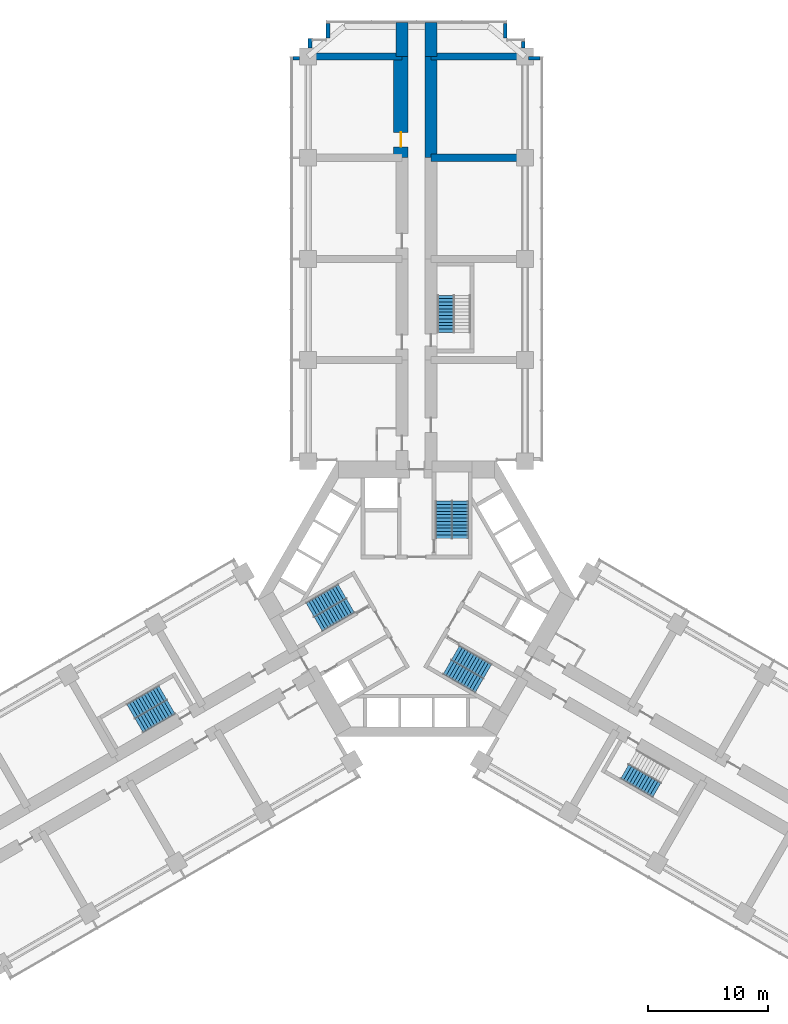
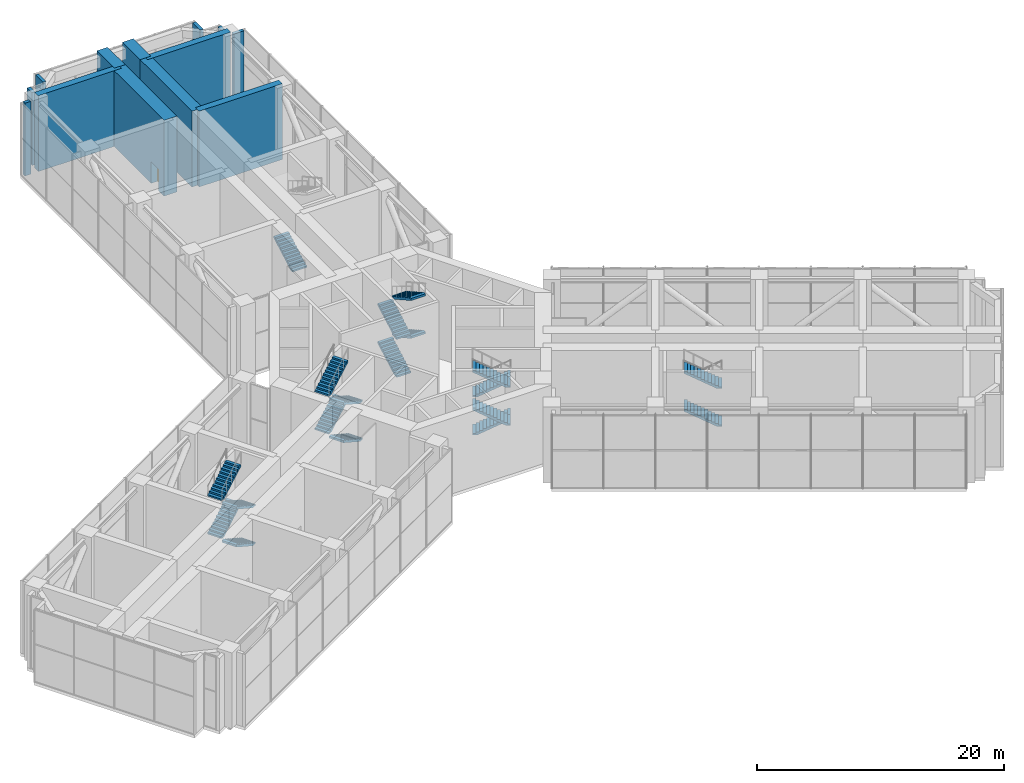
# One storey, part 17 of 19: 19 stair flights, 13 walls, 1 door, 1 opening, 6 elements without a shape of their own.
"""IFC4 building model written with IfcOpenShell, lengths in metres."""

import ifcopenshell
import ifcopenshell.guid

model = None  # the IFC model being written
_history = None  # IfcOwnerHistory: only IFC2X3 demands one
_inside = {}  # id of a spatial element -> (the spatial element, [elements in it])
_under = {}  # id of a project, library or spatial element -> (it, [spatial elements below it])
_declared = {}  # id of a project -> (the project, [libraries it declares])
_typed = {}  # id of a type object -> (the type object, [elements of that type])
_made_of = {}  # id of a material, layer set ... -> (it, [elements and type objects made of it])


def new_model(schema):
    """Start an empty IFC model of exactly this schema.

    Asked for "IFC4X3", IfcOpenShell would pick the latest addendum, in which some entities
    have other attributes; the version numbers below select the first issue.
    IFC2X3 requires an IfcOwnerHistory on every rooted entity: one is made here for all.
    """
    global model, _history
    if schema == "IFC4X3":
        model = ifcopenshell.file(schema_version=(4, 3, 0, 0))
    else:
        model = ifcopenshell.file(schema=schema)
    _inside.clear()
    _under.clear()
    _declared.clear()
    _typed.clear()
    _made_of.clear()
    _history = None
    if model.schema == "IFC2X3":
        org = make("IfcOrganization", Name="unknown")
        user = make(
            "IfcPersonAndOrganization",
            ThePerson=make("IfcPerson", FamilyName="unknown"),
            TheOrganization=org,
        )
        app = make(
            "IfcApplication",
            ApplicationDeveloper=org,
            Version="unknown",
            ApplicationFullName="unknown",
            ApplicationIdentifier="unknown",
        )
        _history = make(
            "IfcOwnerHistory",
            OwningUser=user,
            OwningApplication=app,
            ChangeAction="ADDED",
            CreationDate=0,
        )
    return model


def make(cls, **values):
    """One entity of the class cls with the attributes given. An attribute that is None is left unset."""
    return model.create_entity(
        cls, **{name: value for name, value in values.items() if value is not None}
    )


def rooted(cls, **values):
    """An entity with a GlobalId (a new one), such as an element, a storey or a relation."""
    return make(cls, GlobalId=ifcopenshell.guid.new(), OwnerHistory=_history, **values)


def si_unit(unit_type, name, prefix=None):
    """IfcSIUnit, for example si_unit("LENGTHUNIT", "METRE", prefix="MILLI")."""
    return make("IfcSIUnit", UnitType=unit_type, Prefix=prefix, Name=name)


def assignment(units):
    """IfcUnitAssignment: the units of a project."""
    return None if units is None else make("IfcUnitAssignment", Units=units)


def point(xyz):
    """IfcCartesianPoint."""
    return None if xyz is None else make("IfcCartesianPoint", Coordinates=xyz)


def direction(xyz):
    """IfcDirection."""
    return None if xyz is None else make("IfcDirection", DirectionRatios=xyz)


def frame(location, z_axis=None, x_axis=None):
    """IfcAxis2Placement3D, a coordinate frame: its origin and axes. An axis left out is left unset."""
    return make(
        "IfcAxis2Placement3D",
        Location=point(location),
        Axis=direction(z_axis),
        RefDirection=direction(x_axis),
    )


def frame_2d(location, x_axis=None):
    """IfcAxis2Placement2D, a coordinate frame in the plane: its origin and x axis."""
    return make(
        "IfcAxis2Placement2D", Location=point(location), RefDirection=direction(x_axis)
    )


def origin():
    """The frame at (0, 0, 0) with its axes left unset."""
    return frame((0.0, 0.0, 0.0))


def place(relative_to, where):
    """IfcLocalPlacement: puts the frame where relative to a parent placement (None: the world)."""
    return make(
        "IfcLocalPlacement", PlacementRelTo=relative_to, RelativePlacement=where
    )


def context(
    kind, dimensions, precision=None, world=None, true_north=None, identifier=None
):
    """IfcGeometricRepresentationContext, for example the 3D "Model" context."""
    return make(
        "IfcGeometricRepresentationContext",
        ContextIdentifier=identifier,
        ContextType=kind,
        CoordinateSpaceDimension=dimensions,
        Precision=precision,
        WorldCoordinateSystem=world,
        TrueNorth=true_north,
    )


def subcontext(parent, identifier, kind, view, scale=None):
    """IfcGeometricRepresentationSubContext, for example "Body" below "Model"."""
    return make(
        "IfcGeometricRepresentationSubContext",
        ContextIdentifier=identifier,
        ContextType=kind,
        ParentContext=parent,
        TargetScale=scale,
        TargetView=view,
    )


def project(units=None, contexts=None):
    """IfcProject with its units and contexts."""
    return rooted(
        "IfcProject",
        Name="project",
        RepresentationContexts=contexts,
        UnitsInContext=assignment(units),
    )


def spatial(cls, under=None, at=None, **own):
    """A site, building, storey or space (cls), placed at a placement, below another one or the project."""
    s = rooted(cls, ObjectPlacement=at, **own)
    if under is not None:
        _under.setdefault(under.id(), (under, []))[1].append(s)
    return s


def polyline(points):
    """IfcPolyline through the points."""
    return make("IfcPolyline", Points=[point(p) for p in points])


def profile(cls, at=None, kind="AREA", **sizes):
    """A parametric profile (cls). Its sizes go by their IFC names, for example OverallWidth=200.0."""
    return make(cls, ProfileType=kind, Position=at, **sizes)


def rectangle(**sizes):
    """IfcRectangleProfileDef."""
    return profile("IfcRectangleProfileDef", **sizes)


def outline(outer, holes=None, kind="AREA"):
    """IfcArbitraryClosedProfileDef: a profile drawn as a closed curve; with holes, ...WithVoids."""
    if holes is None:
        return make("IfcArbitraryClosedProfileDef", ProfileType=kind, OuterCurve=outer)
    return make(
        "IfcArbitraryProfileDefWithVoids",
        ProfileType=kind,
        OuterCurve=outer,
        InnerCurves=holes,
    )


def extrude(swept, where, along, depth):
    """IfcExtrudedAreaSolid: the profile swept, set in the frame where, extruded along a direction by depth."""
    return make(
        "IfcExtrudedAreaSolid",
        SweptArea=swept,
        Position=where,
        ExtrudedDirection=direction(along),
        Depth=depth,
    )


def shape(context_of_items, identifier, shape_type, items):
    """IfcShapeRepresentation: the items that make up one representation, for example the "Body"."""
    return make(
        "IfcShapeRepresentation",
        ContextOfItems=context_of_items,
        RepresentationIdentifier=identifier,
        RepresentationType=shape_type,
        Items=items,
    )


def material(Name=None, Category=None):
    """IfcMaterial."""
    return make("IfcMaterial", Name=Name, Category=Category)


def layer(
    of_material, thickness, ventilated=None, Name=None, Category=None, Priority=None
):
    """IfcMaterialLayer: one layer of a wall or slab, of a material (None: an air gap)."""
    return make(
        "IfcMaterialLayer",
        Material=of_material,
        LayerThickness=thickness,
        IsVentilated=ventilated,
        Name=Name,
        Category=Category,
        Priority=Priority,
    )


def layer_set(layers, Name=None):
    """IfcMaterialLayerSet."""
    return make("IfcMaterialLayerSet", MaterialLayers=layers, LayerSetName=Name)


def made_of(thing, what):
    """Note that an element or type object is made of a material, layer set ...; save() writes the relation."""
    if what is not None:
        _made_of.setdefault(what.id(), (what, []))[1].append(thing)
    return thing


def type_object(cls, material=None, **own):
    """A type object (cls), such as IfcWallType, which elements share."""
    return made_of(rooted(cls, **own), material)


def element(
    cls,
    number,
    at=None,
    inside=None,
    cuts=None,
    type_object=None,
    material=None,
    context=None,
    identifier="Body",
    shape_type=None,
    held_by="IfcProductDefinitionShape",
    body=None,
    shapes=None,
    **own,
):
    """One element of the class cls, such as IfcWall. Its Tag is "e" and its number.

    at: its placement. inside: the storey or other place that contains it. cuts: it is an
    opening in that element (IfcRelVoidsElement). A single representation is given by context,
    identifier, shape_type and body (its items); several are given by shapes. held_by: the class
    of the entity that holds the representations. save() writes the other relations.
    """
    e = rooted(cls, Tag="e%d" % number, ObjectPlacement=at, **own)
    if body is not None:
        shapes = [shape(context, identifier, shape_type, body)]
    if shapes is not None:
        e.Representation = make(held_by, Representations=shapes)
    if inside is not None:
        _inside.setdefault(inside.id(), (inside, []))[1].append(e)
    if cuts is not None:
        rooted(
            "IfcRelVoidsElement", RelatingBuildingElement=cuts, RelatedOpeningElement=e
        )
    if type_object is not None:
        _typed.setdefault(type_object.id(), (type_object, []))[1].append(e)
    return made_of(e, material)


def fill(opening, filler):
    """IfcRelFillsElement: the door or window that sits in an opening."""
    return rooted(
        "IfcRelFillsElement",
        RelatingOpeningElement=opening,
        RelatedBuildingElement=filler,
    )


def aggregate(whole, parts):
    """IfcRelAggregates: a whole, such as a stair, and the parts it consists of."""
    return rooted("IfcRelAggregates", RelatingObject=whole, RelatedObjects=parts)


def save(model, path):
    """Write the relations noted so far, then the file.

    IfcRelAggregates (storeys below a building ...), IfcRelContainedInSpatialStructure (elements
    in a storey), IfcRelDefinesByType, IfcRelAssociatesMaterial and IfcRelDeclares: one each for
    every whole, place, type object, material and project.
    """
    for whole, parts in _under.values():
        aggregate(whole, parts)
    for where, things in _inside.values():
        rooted(
            "IfcRelContainedInSpatialStructure",
            RelatedElements=things,
            RelatingStructure=where,
        )
    for kind, things in _typed.values():
        rooted("IfcRelDefinesByType", RelatedObjects=things, RelatingType=kind)
    for what, things in _made_of.values():
        rooted("IfcRelAssociatesMaterial", RelatedObjects=things, RelatingMaterial=what)
    for by, libraries in _declared.values():
        rooted("IfcRelDeclares", RelatingContext=by, RelatedDefinitions=libraries)
    model.write(path)


model = new_model("IFC4")

# Units and contexts
model_context = context("Model", 3, precision=1e-05, world=origin(), true_north=direction((0.0, 1.0)))
body_context = subcontext(model_context, "Body", "Model", "MODEL_VIEW")
ifc_project = project(units=[si_unit("LENGTHUNIT", "METRE"), si_unit("AREAUNIT", "SQUARE_METRE"), si_unit("VOLUMEUNIT", "CUBIC_METRE"), si_unit("PLANEANGLEUNIT", "RADIAN"), si_unit("MASSUNIT", "GRAM", prefix="KILO")], contexts=[model_context])

# Site, building, storey
site_placement = place(None, origin())
site = spatial("IfcSite", under=ifc_project, at=site_placement, CompositionType="ELEMENT")
building_placement = place(site_placement, origin())
building = spatial("IfcBuilding", under=site, at=building_placement, Name="Impinga Residences", CompositionType="ELEMENT")
storey_placement = place(building_placement, frame((0.0, 0.0, 93.5)))
storey = spatial("IfcBuildingStorey", under=building, at=storey_placement, Name="L23", CompositionType="ELEMENT", Elevation=93.5)

# Walls
ifc_material_1 = material(Name="Stone facing on blockwork", Category="masonry")
ifc_layer_1 = layer(ifc_material_1, 0.300048828125)
ifc_layer_set_1 = layer_set([ifc_layer_1], Name="EW2 external wall, stone facing on blockwork 300")
wall_type_1 = type_object("IfcWallType", Name="EW2 external wall, stone facing on blockwork 300", PredefinedType="SOLIDWALL", material=ifc_layer_set_1)
wall_1_placement = place(storey_placement, frame((-10.257568359375, 44.881591796875, 0.0), z_axis=(0.0, 0.0, 1.0), x_axis=(1.0, 0.0, 0.0)))
element("IfcWall", 1, at=wall_1_placement, inside=storey, type_object=wall_type_1, Name="External wall EW2 L23", PredefinedType="SOLIDWALL", context=body_context, shape_type="SweptSolid", body=[
    extrude(rectangle(XDim=0.5546875, YDim=0.300048828125, at=frame_2d((0.27734375, 0.0))), origin(), (0.0, 0.0, 1.0), 7.199951171875),
])
wall_2_placement = place(storey_placement, frame((-8.85009765625, 45.734619140625, 0.0), z_axis=(0.0, 0.0, 1.0), x_axis=(0.0, 1.0, 0.0)))
element("IfcWall", 2, at=wall_2_placement, inside=storey, type_object=wall_type_1, Name="External wall EW2 L23", PredefinedType="SOLIDWALL", context=body_context, shape_type="SweptSolid", body=[
    extrude(rectangle(XDim=0.796875, YDim=0.300048828125, at=frame_2d((0.3984375, 0.0))), origin(), (0.0, 0.0, 1.0), 7.199951171875),
])
for number, where, z_axis, x_axis, name in (
    (3, (-7.35009765625, 46.573974609375, 0.0), (0.0, 0.0, 1.0), (0.0, 1.0, 0.0), "External wall EW2 L23"),
    (4, (7.35009765625, 47.7890625, 0.0), (0.0, 0.0, 1.0), (0.0, -1.0, 0.0), "External wall EW2 L23"),
):
    element("IfcWall", number, at=place(storey_placement, frame(where, z_axis=z_axis, x_axis=x_axis)), inside=storey, type_object=wall_type_1, Name=name, PredefinedType="SOLIDWALL", context=body_context, shape_type="SweptSolid", body=[
        extrude(rectangle(XDim=1.215087890625, YDim=0.300048828125, at=frame_2d((0.607421875, 0.0))), origin(), (0.0, 0.0, 1.0), 7.199951171875),
    ])
wall_3_placement = place(storey_placement, frame((8.85009765625, 46.2890625, 0.0), z_axis=(0.0, 0.0, 1.0), x_axis=(0.0, -1.0, 0.0)))
element("IfcWall", 5, at=wall_3_placement, inside=storey, type_object=wall_type_1, Name="External wall EW2 L23", PredefinedType="SOLIDWALL", context=body_context, shape_type="SweptSolid", body=[
    extrude(rectangle(XDim=0.554443359375, YDim=0.300048828125, at=frame_2d((0.27734375, 0.0))), origin(), (0.0, 0.0, 1.0), 7.199951171875),
])
wall_4_placement = place(storey_placement, frame((9.300048828125, 44.881591796875, 0.0), z_axis=(0.0, 0.0, 1.0), x_axis=(1.0, 0.0, 0.0)))
element("IfcWall", 6, at=wall_4_placement, inside=storey, type_object=wall_type_1, Name="External wall EW2 L23", PredefinedType="SOLIDWALL", context=body_context, shape_type="SweptSolid", body=[
    extrude(rectangle(XDim=0.95751953125, YDim=0.300048828125, at=frame_2d((0.478759765625, 0.0))), origin(), (0.0, 0.0, 1.0), 7.199951171875),
])
ifc_material_2 = material(Name="Concrete C60/75", Category="concrete")
ifc_layer_2 = layer(ifc_material_2, 1.0)
ifc_layer_set_2 = layer_set([ifc_layer_2], Name="Concrete C60/75")
wall_type_2 = type_object("IfcWallType", Name="OW1 outrigger wall on the corridor line 1000", PredefinedType="SHEAR", material=ifc_layer_set_2)
wall_5_placement = place(storey_placement, frame((-1.199951171875, 45.031494140625, 0.0), z_axis=(0.0, 0.0, 1.0), x_axis=(0.0, 1.0, 0.0)))
element("IfcWall", 7, at=wall_5_placement, inside=storey, type_object=wall_type_2, Name="Corridor wall OW1 NC L23", PredefinedType="SHEAR", context=body_context, shape_type="SweptSolid", body=[
    extrude(rectangle(XDim=2.839111328125, YDim=1.0, at=frame_2d((1.41943359375, 0.0))), origin(), (0.0, 0.0, 1.0), 7.5),
])
wall_6_placement = place(storey_placement, frame((1.199951171875, 36.631591796875, 0.0), z_axis=(0.0, 0.0, 1.0), x_axis=(0.0, 1.0, 0.0)))
element("IfcWall", 8, at=wall_6_placement, inside=storey, type_object=wall_type_2, Name="Corridor wall OW1 ND L23", PredefinedType="SHEAR", context=body_context, shape_type="SweptSolid", body=[
    extrude(rectangle(XDim=8.39990234375, YDim=1.0, at=frame_2d((4.199951171875, 0.0))), origin(), (0.0, 0.0, 1.0), 7.5),
])
wall_7_placement = place(storey_placement, frame((1.199951171875, 45.031494140625, 0.0), z_axis=(0.0, 0.0, 1.0), x_axis=(0.0, 1.0, 0.0)))
element("IfcWall", 9, at=wall_7_placement, inside=storey, type_object=wall_type_2, Name="Corridor wall OW1 ND L23", PredefinedType="SHEAR", context=body_context, shape_type="SweptSolid", body=[
    extrude(rectangle(XDim=2.839111328125, YDim=1.0, at=frame_2d((1.41943359375, 0.0))), origin(), (0.0, 0.0, 1.0), 7.5),
])
ifc_layer_3 = layer(ifc_material_2, 0.60009765625)
ifc_layer_set_3 = layer_set([ifc_layer_3], Name="Concrete C60/75")
wall_type_3 = type_object("IfcWallType", Name="OW2 outrigger arm wall to the perimeter columns 600", PredefinedType="SHEAR", material=ifc_layer_set_3)
for number, where, z_axis, x_axis, name in (
    (10, (1.199951171875, 36.631591796875, 0.0), (0.0, 0.0, 1.0), (1.0, 0.0, 0.0), "Outrigger wall OW2 N4/NF L23"),
    (11, (-1.199951171875, 45.031494140625, 0.0), (0.0, 0.0, 1.0), (-1.0, 0.0, 0.0), "Outrigger wall OW2 N5/NA L23"),
    (12, (1.199951171875, 45.031494140625, 0.0), (0.0, 0.0, 1.0), (1.0, 0.0, 0.0), "Outrigger wall OW2 N5/NF L23"),
):
    element("IfcWall", number, at=place(storey_placement, frame(where, z_axis=z_axis, x_axis=x_axis)), inside=storey, type_object=wall_type_3, Name=name, PredefinedType="SHEAR", context=body_context, shape_type="SweptSolid", body=[
        extrude(rectangle(XDim=7.800048828125, YDim=0.60009765625, at=frame_2d((3.89990234375, 0.0))), origin(), (0.0, 0.0, 1.0), 7.5),
    ])

# Wall, opening, door
ifc_layer_4 = layer(ifc_material_2, 1.199951171875)
ifc_layer_set_4 = layer_set([ifc_layer_4], Name="Concrete C60/75")
wall_type_4 = type_object("IfcWallType", Name="OW3 outrigger wall on the corridor line, plant-room door piece 1200", PredefinedType="SHEAR", material=ifc_layer_set_4)
wall_8_placement = place(storey_placement, frame((-1.300048828125, 36.631591796875, 0.0), z_axis=(0.0, 0.0, 1.0), x_axis=(0.0, 1.0, 0.0)))
wall_8 = element("IfcWall", 13, at=wall_8_placement, inside=storey, type_object=wall_type_4, Name="Corridor wall OW3 NC L23", PredefinedType="SHEAR", context=body_context, shape_type="SweptSolid", body=[
    extrude(rectangle(XDim=8.39990234375, YDim=1.199951171875, at=frame_2d((4.199951171875, 0.0))), origin(), (0.0, 0.0, 1.0), 7.5),
])
opening_placement = place(wall_8_placement, frame((0.89990234375, 0.0, 0.0)))
opening = element("IfcOpeningElement", 14, at=opening_placement, cuts=wall_8, Name="Opening D3", PredefinedType="OPENING", context=body_context, shape_type="SweptSolid", body=[
    extrude(rectangle(XDim=1.199951171875, YDim=2.10009765625, at=frame_2d((0.60009765625, 1.050048828125))), frame((0.0, 0.60986328125, 0.0), z_axis=(0.0, -1.0, 0.0), x_axis=(1.0, 0.0, 0.0)), (0.0, 0.0, 1.0), 1.219970703125),
])
ifc_material_3 = material(Name="Timber door set", Category="wood")
door_type = type_object("IfcDoorType", Name="D3 room door, leaf and a half 1200x2100", OperationType="DOUBLE_SWING_LEFT", PredefinedType="DOOR", material=ifc_material_3)
door_placement = place(opening_placement, origin())
door = element("IfcDoor", 15, at=door_placement, inside=storey, type_object=door_type, Name="Communications plant room door L23-NA1", OperationType="DOUBLE_SWING_LEFT", OverallHeight=2.10009765625, OverallWidth=1.199951171875, PredefinedType="DOOR", context=body_context, shape_type="SweptSolid", body=[
    extrude(rectangle(XDim=1.199951171875, YDim=2.10009765625, at=frame_2d((0.60009765625, 1.050048828125))), frame((0.0, 0.02490234375, 0.0), z_axis=(0.0, -1.0, 0.0), x_axis=(1.0, 0.0, 0.0)), (0.0, 0.0, 1.0), 0.050048828125),
])
fill(opening, door)

# Stair, stair flights
ifc_material_4 = material(Name="Concrete C40/50", Category="concrete")
stair_type_1 = type_object("IfcStairType", Name="STR core stair 7500 storey, 48 risers", PredefinedType="HALF_TURN_STAIR", material=ifc_material_4)
stair_1_placement = place(storey_placement, origin())
stair_1 = element("IfcStair", 16, at=stair_1_placement, inside=storey, type_object=stair_type_1, Name="Stair ST1 L23", PredefinedType="HALF_TURN_STAIR")
stair_flight_type = type_object("IfcStairFlightType", Name="SF 12 risers of 156", PredefinedType="STRAIGHT", material=ifc_material_4)
stair_flight_1_placement = place(storey_placement, frame((2.27490234375, 5.030029296875, 0.0), z_axis=(0.0, 0.0, 1.0), x_axis=(0.0, 1.0, 0.0)))
stair_flight_1 = element("IfcStairFlight", 17, at=stair_flight_1_placement, type_object=stair_flight_type, Name="ST1 flight 1", NumberOfRisers=12, NumberOfTreads=11, PredefinedType="STRAIGHT", RiserHeight=0.15625, TreadLength=0.28, context=body_context, shape_type="SweptSolid", body=[
    extrude(outline(polyline([(0.0, 0.0), (0.0, 0.15625), (0.280029296875, 0.15625), (0.280029296875, 0.3125), (0.56005859375, 0.3125), (0.56005859375, 0.46875), (0.840087890625, 0.46875), (0.840087890625, 0.625), (1.1201171875, 0.625), (1.1201171875, 0.78125), (1.39990234375, 0.78125), (1.39990234375, 0.9375), (1.679931640625, 0.9375), (1.679931640625, 1.09375), (1.9599609375, 1.09375), (1.9599609375, 1.25), (2.239990234375, 1.25), (2.239990234375, 1.40625), (2.52001953125, 1.40625), (2.52001953125, 1.5625), (2.800048828125, 1.5625), (2.800048828125, 1.71875), (3.080078125, 1.71875), (3.080078125, 1.875), (3.080078125, 1.5126953125), (0.369140625, 0.0), (0.0, 0.0)])), frame((0.0, 0.675048828125, 0.0), z_axis=(0.0, -1.0, 0.0), x_axis=(1.0, 0.0, 0.0)), (0.0, 0.0, 1.0), 1.35009765625),
])
stair_flight_2_placement = place(storey_placement, frame((3.625, 8.110107421875, 1.875), z_axis=(0.0, 0.0, 1.0), x_axis=(0.0, -1.0, 0.0)))
stair_flight_2 = element("IfcStairFlight", 18, at=stair_flight_2_placement, type_object=stair_flight_type, Name="ST1 flight 2", NumberOfRisers=12, NumberOfTreads=11, PredefinedType="STRAIGHT", RiserHeight=0.15625, TreadLength=0.28, context=body_context, shape_type="SweptSolid", body=[
    extrude(outline(polyline([(0.0, 0.0), (0.0, 0.15625), (0.280029296875, 0.15625), (0.280029296875, 0.3125), (0.56005859375, 0.3125), (0.56005859375, 0.46875), (0.840087890625, 0.46875), (0.840087890625, 0.625), (1.1201171875, 0.625), (1.1201171875, 0.78125), (1.39990234375, 0.78125), (1.39990234375, 0.9375), (1.679931640625, 0.9375), (1.679931640625, 1.09375), (1.9599609375, 1.09375), (1.9599609375, 1.25), (2.239990234375, 1.25), (2.239990234375, 1.40625), (2.52001953125, 1.40625), (2.52001953125, 1.5625), (2.800048828125, 1.5625), (2.800048828125, 1.71875), (3.080078125, 1.71875), (3.080078125, 1.875), (3.080078125, 1.5126953125), (0.369140625, 0.0), (0.0, 0.0)])), frame((0.0, 0.675048828125, 0.0), z_axis=(0.0, -1.0, 0.0), x_axis=(1.0, 0.0, 0.0)), (0.0, 0.0, 1.0), 1.35009765625),
])
stair_flight_3_placement = place(storey_placement, frame((2.27490234375, 5.030029296875, 3.75), z_axis=(0.0, 0.0, 1.0), x_axis=(0.0, 1.0, 0.0)))
stair_flight_3 = element("IfcStairFlight", 19, at=stair_flight_3_placement, type_object=stair_flight_type, Name="ST1 flight 3", NumberOfRisers=12, NumberOfTreads=11, PredefinedType="STRAIGHT", RiserHeight=0.15625, TreadLength=0.28, context=body_context, shape_type="SweptSolid", body=[
    extrude(outline(polyline([(0.0, 0.0), (0.0, 0.15625), (0.280029296875, 0.15625), (0.280029296875, 0.3125), (0.56005859375, 0.3125), (0.56005859375, 0.46875), (0.840087890625, 0.46875), (0.840087890625, 0.625), (1.1201171875, 0.625), (1.1201171875, 0.78125), (1.39990234375, 0.78125), (1.39990234375, 0.9375), (1.679931640625, 0.9375), (1.679931640625, 1.09375), (1.9599609375, 1.09375), (1.9599609375, 1.25), (2.239990234375, 1.25), (2.239990234375, 1.40625), (2.52001953125, 1.40625), (2.52001953125, 1.5625), (2.800048828125, 1.5625), (2.800048828125, 1.71875), (3.080078125, 1.71875), (3.080078125, 1.875), (3.080078125, 1.5126953125), (0.369140625, 0.0), (0.0, 0.0)])), frame((0.0, 0.675048828125, 0.0), z_axis=(0.0, -1.0, 0.0), x_axis=(1.0, 0.0, 0.0)), (0.0, 0.0, 1.0), 1.35009765625),
])
stair_flight_4_placement = place(storey_placement, frame((3.625, 8.110107421875, 5.625), z_axis=(0.0, 0.0, 1.0), x_axis=(0.0, -1.0, 0.0)))
stair_flight_4 = element("IfcStairFlight", 20, at=stair_flight_4_placement, type_object=stair_flight_type, Name="ST1 flight 4", NumberOfRisers=12, NumberOfTreads=11, PredefinedType="STRAIGHT", RiserHeight=0.15625, TreadLength=0.28, context=body_context, shape_type="SweptSolid", body=[
    extrude(outline(polyline([(0.0, 0.0), (0.0, 0.15625), (0.280029296875, 0.15625), (0.280029296875, 0.3125), (0.56005859375, 0.3125), (0.56005859375, 0.46875), (0.840087890625, 0.46875), (0.840087890625, 0.625), (1.1201171875, 0.625), (1.1201171875, 0.78125), (1.39990234375, 0.78125), (1.39990234375, 0.9375), (1.679931640625, 0.9375), (1.679931640625, 1.09375), (1.9599609375, 1.09375), (1.9599609375, 1.25), (2.239990234375, 1.25), (2.239990234375, 1.40625), (2.52001953125, 1.40625), (2.52001953125, 1.5625), (2.800048828125, 1.5625), (2.800048828125, 1.71875), (3.080078125, 1.71875), (3.080078125, 1.875), (3.080078125, 1.5126953125), (0.369140625, 0.0), (0.0, 0.0)])), frame((0.0, 0.675048828125, 0.0), z_axis=(0.0, -1.0, 0.0), x_axis=(1.0, 0.0, 0.0)), (0.0, 0.0, 1.0), 1.35009765625),
])
aggregate(stair_1, [stair_flight_1, stair_flight_2, stair_flight_3, stair_flight_4])

stair_2_placement = place(storey_placement, origin())
stair_2 = element("IfcStair", 21, at=stair_2_placement, inside=storey, type_object=stair_type_1, Name="Stair ST2 L23", PredefinedType="HALF_TURN_STAIR")
stair_flight_5_placement = place(storey_placement, frame((-5.49365234375, -0.544677734375, 0.0), z_axis=(0.0, 0.0, 1.0), x_axis=(-0.866025403784, -0.5, 0.0)))
stair_flight_5 = element("IfcStairFlight", 22, at=stair_flight_5_placement, type_object=stair_flight_type, Name="ST2 flight 1", NumberOfRisers=12, NumberOfTreads=11, PredefinedType="STRAIGHT", RiserHeight=0.15625, TreadLength=0.28, context=body_context, shape_type="SweptSolid", body=[
    extrude(outline(polyline([(0.0, 0.0), (0.0, 0.15625), (0.280029296875, 0.15625), (0.280029296875, 0.3125), (0.56005859375, 0.3125), (0.56005859375, 0.46875), (0.840087890625, 0.46875), (0.840087890625, 0.625), (1.1201171875, 0.625), (1.1201171875, 0.78125), (1.39990234375, 0.78125), (1.39990234375, 0.9375), (1.679931640625, 0.9375), (1.679931640625, 1.09375), (1.9599609375, 1.09375), (1.9599609375, 1.25), (2.239990234375, 1.25), (2.239990234375, 1.40625), (2.52001953125, 1.40625), (2.52001953125, 1.5625), (2.800048828125, 1.5625), (2.800048828125, 1.71875), (3.080078125, 1.71875), (3.080078125, 1.875), (3.080078125, 1.5126953125), (0.369140625, 0.0), (0.0, 0.0)])), frame((0.0, 0.675048828125, 0.0), z_axis=(0.0, -1.0, 0.0), x_axis=(1.0, 0.0, 0.0)), (0.0, 0.0, 1.0), 1.35009765625),
])
stair_flight_6_placement = place(storey_placement, frame((-8.8359375, -0.915771484375, 1.875), z_axis=(0.0, 0.0, 1.0), x_axis=(0.866025403784, 0.5, 0.0)))
stair_flight_6 = element("IfcStairFlight", 23, at=stair_flight_6_placement, type_object=stair_flight_type, Name="ST2 flight 2", NumberOfRisers=12, NumberOfTreads=11, PredefinedType="STRAIGHT", RiserHeight=0.15625, TreadLength=0.28, context=body_context, shape_type="SweptSolid", body=[
    extrude(outline(polyline([(0.0, 0.0), (0.0, 0.15625), (0.280029296875, 0.15625), (0.280029296875, 0.3125), (0.56005859375, 0.3125), (0.56005859375, 0.46875), (0.840087890625, 0.46875), (0.840087890625, 0.625), (1.1201171875, 0.625), (1.1201171875, 0.78125), (1.39990234375, 0.78125), (1.39990234375, 0.9375), (1.679931640625, 0.9375), (1.679931640625, 1.09375), (1.9599609375, 1.09375), (1.9599609375, 1.25), (2.239990234375, 1.25), (2.239990234375, 1.40625), (2.52001953125, 1.40625), (2.52001953125, 1.5625), (2.800048828125, 1.5625), (2.800048828125, 1.71875), (3.080078125, 1.71875), (3.080078125, 1.875), (3.080078125, 1.5126953125), (0.369140625, 0.0), (0.0, 0.0)])), frame((0.0, 0.675048828125, 0.0), z_axis=(0.0, -1.0, 0.0), x_axis=(1.0, 0.0, 0.0)), (0.0, 0.0, 1.0), 1.35009765625),
])
stair_flight_7_placement = place(storey_placement, frame((-5.49365234375, -0.544677734375, 3.75), z_axis=(0.0, 0.0, 1.0), x_axis=(-0.866025403784, -0.5, 0.0)))
stair_flight_7 = element("IfcStairFlight", 24, at=stair_flight_7_placement, type_object=stair_flight_type, Name="ST2 flight 3", NumberOfRisers=12, NumberOfTreads=11, PredefinedType="STRAIGHT", RiserHeight=0.15625, TreadLength=0.28, context=body_context, shape_type="SweptSolid", body=[
    extrude(outline(polyline([(0.0, 0.0), (0.0, 0.15625), (0.280029296875, 0.15625), (0.280029296875, 0.3125), (0.56005859375, 0.3125), (0.56005859375, 0.46875), (0.840087890625, 0.46875), (0.840087890625, 0.625), (1.1201171875, 0.625), (1.1201171875, 0.78125), (1.39990234375, 0.78125), (1.39990234375, 0.9375), (1.679931640625, 0.9375), (1.679931640625, 1.09375), (1.9599609375, 1.09375), (1.9599609375, 1.25), (2.239990234375, 1.25), (2.239990234375, 1.40625), (2.52001953125, 1.40625), (2.52001953125, 1.5625), (2.800048828125, 1.5625), (2.800048828125, 1.71875), (3.080078125, 1.71875), (3.080078125, 1.875), (3.080078125, 1.5126953125), (0.369140625, 0.0), (0.0, 0.0)])), frame((0.0, 0.675048828125, 0.0), z_axis=(0.0, -1.0, 0.0), x_axis=(1.0, 0.0, 0.0)), (0.0, 0.0, 1.0), 1.35009765625),
])
stair_flight_8_placement = place(storey_placement, frame((-8.8359375, -0.915771484375, 5.625), z_axis=(0.0, 0.0, 1.0), x_axis=(0.866025403784, 0.5, 0.0)))
stair_flight_8 = element("IfcStairFlight", 25, at=stair_flight_8_placement, type_object=stair_flight_type, Name="ST2 flight 4", NumberOfRisers=12, NumberOfTreads=11, PredefinedType="STRAIGHT", RiserHeight=0.15625, TreadLength=0.28, context=body_context, shape_type="SweptSolid", body=[
    extrude(outline(polyline([(0.0, 0.0), (0.0, 0.15625), (0.280029296875, 0.15625), (0.280029296875, 0.3125), (0.56005859375, 0.3125), (0.56005859375, 0.46875), (0.840087890625, 0.46875), (0.840087890625, 0.625), (1.1201171875, 0.625), (1.1201171875, 0.78125), (1.39990234375, 0.78125), (1.39990234375, 0.9375), (1.679931640625, 0.9375), (1.679931640625, 1.09375), (1.9599609375, 1.09375), (1.9599609375, 1.25), (2.239990234375, 1.25), (2.239990234375, 1.40625), (2.52001953125, 1.40625), (2.52001953125, 1.5625), (2.800048828125, 1.5625), (2.800048828125, 1.71875), (3.080078125, 1.71875), (3.080078125, 1.875), (3.080078125, 1.5126953125), (0.369140625, 0.0), (0.0, 0.0)])), frame((0.0, 0.675048828125, 0.0), z_axis=(0.0, -1.0, 0.0), x_axis=(1.0, 0.0, 0.0)), (0.0, 0.0, 1.0), 1.35009765625),
])
aggregate(stair_2, [stair_flight_5, stair_flight_6, stair_flight_7, stair_flight_8])

stair_3_placement = place(storey_placement, origin())
stair_3 = element("IfcStair", 26, at=stair_3_placement, inside=storey, type_object=stair_type_1, Name="Stair ST3 L23", PredefinedType="HALF_TURN_STAIR")
stair_flight_9_placement = place(storey_placement, frame((3.218505859375, -4.485107421875, 0.0), z_axis=(0.0, 0.0, 1.0), x_axis=(0.866025403784, -0.5, 0.0)))
stair_flight_9 = element("IfcStairFlight", 27, at=stair_flight_9_placement, type_object=stair_flight_type, Name="ST3 flight 1", NumberOfRisers=12, NumberOfTreads=11, PredefinedType="STRAIGHT", RiserHeight=0.15625, TreadLength=0.28, context=body_context, shape_type="SweptSolid", body=[
    extrude(outline(polyline([(0.0, 0.0), (0.0, 0.15625), (0.280029296875, 0.15625), (0.280029296875, 0.3125), (0.56005859375, 0.3125), (0.56005859375, 0.46875), (0.840087890625, 0.46875), (0.840087890625, 0.625), (1.1201171875, 0.625), (1.1201171875, 0.78125), (1.39990234375, 0.78125), (1.39990234375, 0.9375), (1.679931640625, 0.9375), (1.679931640625, 1.09375), (1.9599609375, 1.09375), (1.9599609375, 1.25), (2.239990234375, 1.25), (2.239990234375, 1.40625), (2.52001953125, 1.40625), (2.52001953125, 1.5625), (2.800048828125, 1.5625), (2.800048828125, 1.71875), (3.080078125, 1.71875), (3.080078125, 1.875), (3.080078125, 1.5126953125), (0.369140625, 0.0), (0.0, 0.0)])), frame((0.0, 0.675048828125, 0.0), z_axis=(0.0, -1.0, 0.0), x_axis=(1.0, 0.0, 0.0)), (0.0, 0.0, 1.0), 1.35009765625),
])
stair_flight_10_placement = place(storey_placement, frame((5.2109375, -7.1943359375, 1.875), z_axis=(0.0, 0.0, 1.0), x_axis=(-0.866025403784, 0.5, 0.0)))
stair_flight_10 = element("IfcStairFlight", 28, at=stair_flight_10_placement, type_object=stair_flight_type, Name="ST3 flight 2", NumberOfRisers=12, NumberOfTreads=11, PredefinedType="STRAIGHT", RiserHeight=0.15625, TreadLength=0.28, context=body_context, shape_type="SweptSolid", body=[
    extrude(outline(polyline([(0.0, 0.0), (0.0, 0.15625), (0.280029296875, 0.15625), (0.280029296875, 0.3125), (0.56005859375, 0.3125), (0.56005859375, 0.46875), (0.840087890625, 0.46875), (0.840087890625, 0.625), (1.1201171875, 0.625), (1.1201171875, 0.78125), (1.39990234375, 0.78125), (1.39990234375, 0.9375), (1.679931640625, 0.9375), (1.679931640625, 1.09375), (1.9599609375, 1.09375), (1.9599609375, 1.25), (2.239990234375, 1.25), (2.239990234375, 1.40625), (2.52001953125, 1.40625), (2.52001953125, 1.5625), (2.800048828125, 1.5625), (2.800048828125, 1.71875), (3.080078125, 1.71875), (3.080078125, 1.875), (3.080078125, 1.5126953125), (0.369140625, 0.0), (0.0, 0.0)])), frame((0.0, 0.675048828125, 0.0), z_axis=(0.0, -1.0, 0.0), x_axis=(1.0, 0.0, 0.0)), (0.0, 0.0, 1.0), 1.35009765625),
])
stair_flight_11_placement = place(storey_placement, frame((3.218505859375, -4.485107421875, 3.75), z_axis=(0.0, 0.0, 1.0), x_axis=(0.866025403784, -0.5, 0.0)))
stair_flight_11 = element("IfcStairFlight", 29, at=stair_flight_11_placement, type_object=stair_flight_type, Name="ST3 flight 3", NumberOfRisers=12, NumberOfTreads=11, PredefinedType="STRAIGHT", RiserHeight=0.15625, TreadLength=0.28, context=body_context, shape_type="SweptSolid", body=[
    extrude(outline(polyline([(0.0, 0.0), (0.0, 0.15625), (0.280029296875, 0.15625), (0.280029296875, 0.3125), (0.56005859375, 0.3125), (0.56005859375, 0.46875), (0.840087890625, 0.46875), (0.840087890625, 0.625), (1.1201171875, 0.625), (1.1201171875, 0.78125), (1.39990234375, 0.78125), (1.39990234375, 0.9375), (1.679931640625, 0.9375), (1.679931640625, 1.09375), (1.9599609375, 1.09375), (1.9599609375, 1.25), (2.239990234375, 1.25), (2.239990234375, 1.40625), (2.52001953125, 1.40625), (2.52001953125, 1.5625), (2.800048828125, 1.5625), (2.800048828125, 1.71875), (3.080078125, 1.71875), (3.080078125, 1.875), (3.080078125, 1.5126953125), (0.369140625, 0.0), (0.0, 0.0)])), frame((0.0, 0.675048828125, 0.0), z_axis=(0.0, -1.0, 0.0), x_axis=(1.0, 0.0, 0.0)), (0.0, 0.0, 1.0), 1.35009765625),
])
stair_flight_12_placement = place(storey_placement, frame((5.2109375, -7.1943359375, 5.625), z_axis=(0.0, 0.0, 1.0), x_axis=(-0.866025403784, 0.5, 0.0)))
stair_flight_12 = element("IfcStairFlight", 30, at=stair_flight_12_placement, type_object=stair_flight_type, Name="ST3 flight 4", NumberOfRisers=12, NumberOfTreads=11, PredefinedType="STRAIGHT", RiserHeight=0.15625, TreadLength=0.28, context=body_context, shape_type="SweptSolid", body=[
    extrude(outline(polyline([(0.0, 0.0), (0.0, 0.15625), (0.280029296875, 0.15625), (0.280029296875, 0.3125), (0.56005859375, 0.3125), (0.56005859375, 0.46875), (0.840087890625, 0.46875), (0.840087890625, 0.625), (1.1201171875, 0.625), (1.1201171875, 0.78125), (1.39990234375, 0.78125), (1.39990234375, 0.9375), (1.679931640625, 0.9375), (1.679931640625, 1.09375), (1.9599609375, 1.09375), (1.9599609375, 1.25), (2.239990234375, 1.25), (2.239990234375, 1.40625), (2.52001953125, 1.40625), (2.52001953125, 1.5625), (2.800048828125, 1.5625), (2.800048828125, 1.71875), (3.080078125, 1.71875), (3.080078125, 1.875), (3.080078125, 1.5126953125), (0.369140625, 0.0), (0.0, 0.0)])), frame((0.0, 0.675048828125, 0.0), z_axis=(0.0, -1.0, 0.0), x_axis=(1.0, 0.0, 0.0)), (0.0, 0.0, 1.0), 1.35009765625),
])
aggregate(stair_3, [stair_flight_9, stair_flight_10, stair_flight_11, stair_flight_12])

# Stair, stair flight
stair_type_2 = type_object("IfcStairType", Name="STR wing stair 7500 storey, 48 risers", PredefinedType="HALF_TURN_STAIR", material=ifc_material_4)
stair_4_placement = place(storey_placement, origin())
stair_4 = element("IfcStair", 31, at=stair_4_placement, inside=storey, type_object=stair_type_2, Name="Stair WS1 L23", PredefinedType="HALF_TURN_STAIR")
stair_flight_13_placement = place(storey_placement, frame((2.425048828125, 22.131591796875, 0.0), z_axis=(0.0, 0.0, 1.0), x_axis=(0.0, 1.0, 0.0)))
stair_flight_13 = element("IfcStairFlight", 32, at=stair_flight_13_placement, type_object=stair_flight_type, Name="WS1 flight 1", NumberOfRisers=12, NumberOfTreads=11, PredefinedType="STRAIGHT", RiserHeight=0.15625, TreadLength=0.28, context=body_context, shape_type="SweptSolid", body=[
    extrude(outline(polyline([(0.0, 0.0), (0.0, 0.15625), (0.280029296875, 0.15625), (0.280029296875, 0.3125), (0.56005859375, 0.3125), (0.56005859375, 0.46875), (0.840087890625, 0.46875), (0.840087890625, 0.625), (1.1201171875, 0.625), (1.1201171875, 0.78125), (1.39990234375, 0.78125), (1.39990234375, 0.9375), (1.679931640625, 0.9375), (1.679931640625, 1.09375), (1.9599609375, 1.09375), (1.9599609375, 1.25), (2.239990234375, 1.25), (2.239990234375, 1.40625), (2.52001953125, 1.40625), (2.52001953125, 1.5625), (2.800048828125, 1.5625), (2.800048828125, 1.71875), (3.080078125, 1.71875), (3.080078125, 1.875), (3.080078125, 1.5126953125), (0.369140625, 0.0), (0.0, 0.0)])), frame((0.0, 0.675048828125, 0.0), z_axis=(0.0, -1.0, 0.0), x_axis=(1.0, 0.0, 0.0)), (0.0, 0.0, 1.0), 1.35009765625),
])
aggregate(stair_4, [stair_flight_13])

# Stair, stair flights
stair_5_placement = place(storey_placement, origin())
stair_5 = element("IfcStair", 33, at=stair_5_placement, inside=storey, type_object=stair_type_2, Name="Stair WS2 L23", PredefinedType="HALF_TURN_STAIR")
stair_flight_14_placement = place(storey_placement, frame((-20.37890625, -8.965576171875, 0.0), z_axis=(0.0, 0.0, 1.0), x_axis=(-0.866025403784, -0.5, 0.0)))
stair_flight_14 = element("IfcStairFlight", 34, at=stair_flight_14_placement, type_object=stair_flight_type, Name="WS2 flight 1", NumberOfRisers=12, NumberOfTreads=11, PredefinedType="STRAIGHT", RiserHeight=0.15625, TreadLength=0.28, context=body_context, shape_type="SweptSolid", body=[
    extrude(outline(polyline([(0.0, 0.0), (0.0, 0.15625), (0.280029296875, 0.15625), (0.280029296875, 0.3125), (0.56005859375, 0.3125), (0.56005859375, 0.46875), (0.840087890625, 0.46875), (0.840087890625, 0.625), (1.1201171875, 0.625), (1.1201171875, 0.78125), (1.39990234375, 0.78125), (1.39990234375, 0.9375), (1.679931640625, 0.9375), (1.679931640625, 1.09375), (1.9599609375, 1.09375), (1.9599609375, 1.25), (2.239990234375, 1.25), (2.239990234375, 1.40625), (2.52001953125, 1.40625), (2.52001953125, 1.5625), (2.800048828125, 1.5625), (2.800048828125, 1.71875), (3.080078125, 1.71875), (3.080078125, 1.875), (3.080078125, 1.5126953125), (0.369140625, 0.0), (0.0, 0.0)])), frame((0.0, 0.675048828125, 0.0), z_axis=(0.0, -1.0, 0.0), x_axis=(1.0, 0.0, 0.0)), (0.0, 0.0, 1.0), 1.35009765625),
])
stair_flight_15_placement = place(storey_placement, frame((-23.721435546875, -9.33642578125, 1.875), z_axis=(0.0, 0.0, 1.0), x_axis=(0.866025403784, 0.5, 0.0)))
stair_flight_15 = element("IfcStairFlight", 35, at=stair_flight_15_placement, type_object=stair_flight_type, Name="WS2 flight 2", NumberOfRisers=12, NumberOfTreads=11, PredefinedType="STRAIGHT", RiserHeight=0.15625, TreadLength=0.28, context=body_context, shape_type="SweptSolid", body=[
    extrude(outline(polyline([(0.0, 0.0), (0.0, 0.15625), (0.280029296875, 0.15625), (0.280029296875, 0.3125), (0.56005859375, 0.3125), (0.56005859375, 0.46875), (0.840087890625, 0.46875), (0.840087890625, 0.625), (1.1201171875, 0.625), (1.1201171875, 0.78125), (1.39990234375, 0.78125), (1.39990234375, 0.9375), (1.679931640625, 0.9375), (1.679931640625, 1.09375), (1.9599609375, 1.09375), (1.9599609375, 1.25), (2.239990234375, 1.25), (2.239990234375, 1.40625), (2.52001953125, 1.40625), (2.52001953125, 1.5625), (2.800048828125, 1.5625), (2.800048828125, 1.71875), (3.080078125, 1.71875), (3.080078125, 1.875), (3.080078125, 1.5126953125), (0.369140625, 0.0), (0.0, 0.0)])), frame((0.0, 0.675048828125, 0.0), z_axis=(0.0, -1.0, 0.0), x_axis=(1.0, 0.0, 0.0)), (0.0, 0.0, 1.0), 1.35009765625),
])
stair_flight_16_placement = place(storey_placement, frame((-20.37890625, -8.965576171875, 3.75), z_axis=(0.0, 0.0, 1.0), x_axis=(-0.866025403784, -0.5, 0.0)))
stair_flight_16 = element("IfcStairFlight", 36, at=stair_flight_16_placement, type_object=stair_flight_type, Name="WS2 flight 3", NumberOfRisers=12, NumberOfTreads=11, PredefinedType="STRAIGHT", RiserHeight=0.15625, TreadLength=0.28, context=body_context, shape_type="SweptSolid", body=[
    extrude(outline(polyline([(0.0, 0.0), (0.0, 0.15625), (0.280029296875, 0.15625), (0.280029296875, 0.3125), (0.56005859375, 0.3125), (0.56005859375, 0.46875), (0.840087890625, 0.46875), (0.840087890625, 0.625), (1.1201171875, 0.625), (1.1201171875, 0.78125), (1.39990234375, 0.78125), (1.39990234375, 0.9375), (1.679931640625, 0.9375), (1.679931640625, 1.09375), (1.9599609375, 1.09375), (1.9599609375, 1.25), (2.239990234375, 1.25), (2.239990234375, 1.40625), (2.52001953125, 1.40625), (2.52001953125, 1.5625), (2.800048828125, 1.5625), (2.800048828125, 1.71875), (3.080078125, 1.71875), (3.080078125, 1.875), (3.080078125, 1.5126953125), (0.369140625, 0.0), (0.0, 0.0)])), frame((0.0, 0.675048828125, 0.0), z_axis=(0.0, -1.0, 0.0), x_axis=(1.0, 0.0, 0.0)), (0.0, 0.0, 1.0), 1.35009765625),
])
stair_flight_17_placement = place(storey_placement, frame((-23.721435546875, -9.33642578125, 5.625), z_axis=(0.0, 0.0, 1.0), x_axis=(0.866025403784, 0.5, 0.0)))
stair_flight_17 = element("IfcStairFlight", 37, at=stair_flight_17_placement, type_object=stair_flight_type, Name="WS2 flight 4", NumberOfRisers=12, NumberOfTreads=11, PredefinedType="STRAIGHT", RiserHeight=0.15625, TreadLength=0.28, context=body_context, shape_type="SweptSolid", body=[
    extrude(outline(polyline([(0.0, 0.0), (0.0, 0.15625), (0.280029296875, 0.15625), (0.280029296875, 0.3125), (0.56005859375, 0.3125), (0.56005859375, 0.46875), (0.840087890625, 0.46875), (0.840087890625, 0.625), (1.1201171875, 0.625), (1.1201171875, 0.78125), (1.39990234375, 0.78125), (1.39990234375, 0.9375), (1.679931640625, 0.9375), (1.679931640625, 1.09375), (1.9599609375, 1.09375), (1.9599609375, 1.25), (2.239990234375, 1.25), (2.239990234375, 1.40625), (2.52001953125, 1.40625), (2.52001953125, 1.5625), (2.800048828125, 1.5625), (2.800048828125, 1.71875), (3.080078125, 1.71875), (3.080078125, 1.875), (3.080078125, 1.5126953125), (0.369140625, 0.0), (0.0, 0.0)])), frame((0.0, 0.675048828125, 0.0), z_axis=(0.0, -1.0, 0.0), x_axis=(1.0, 0.0, 0.0)), (0.0, 0.0, 1.0), 1.35009765625),
])
aggregate(stair_5, [stair_flight_14, stair_flight_15, stair_flight_16, stair_flight_17])

stair_6_placement = place(storey_placement, origin())
stair_6 = element("IfcStair", 38, at=stair_6_placement, inside=storey, type_object=stair_type_2, Name="Stair WS3 L23", PredefinedType="HALF_TURN_STAIR")
stair_flight_18_placement = place(storey_placement, frame((19.9462890625, -15.875, 1.875), z_axis=(0.0, 0.0, 1.0), x_axis=(-0.866025403784, 0.5, 0.0)))
stair_flight_18 = element("IfcStairFlight", 39, at=stair_flight_18_placement, type_object=stair_flight_type, Name="WS3 flight 2", NumberOfRisers=12, NumberOfTreads=11, PredefinedType="STRAIGHT", RiserHeight=0.15625, TreadLength=0.28, context=body_context, shape_type="SweptSolid", body=[
    extrude(outline(polyline([(0.0, 0.0), (0.0, 0.15625), (0.280029296875, 0.15625), (0.280029296875, 0.3125), (0.56005859375, 0.3125), (0.56005859375, 0.46875), (0.840087890625, 0.46875), (0.840087890625, 0.625), (1.1201171875, 0.625), (1.1201171875, 0.78125), (1.39990234375, 0.78125), (1.39990234375, 0.9375), (1.679931640625, 0.9375), (1.679931640625, 1.09375), (1.9599609375, 1.09375), (1.9599609375, 1.25), (2.239990234375, 1.25), (2.239990234375, 1.40625), (2.52001953125, 1.40625), (2.52001953125, 1.5625), (2.800048828125, 1.5625), (2.800048828125, 1.71875), (3.080078125, 1.71875), (3.080078125, 1.875), (3.080078125, 1.5126953125), (0.369140625, 0.0), (0.0, 0.0)])), frame((0.0, 0.675048828125, 0.0), z_axis=(0.0, -1.0, 0.0), x_axis=(1.0, 0.0, 0.0)), (0.0, 0.0, 1.0), 1.35009765625),
])
stair_flight_19_placement = place(storey_placement, frame((19.9462890625, -15.875, 5.625), z_axis=(0.0, 0.0, 1.0), x_axis=(-0.866025403784, 0.5, 0.0)))
stair_flight_19 = element("IfcStairFlight", 40, at=stair_flight_19_placement, type_object=stair_flight_type, Name="WS3 flight 4", NumberOfRisers=12, NumberOfTreads=11, PredefinedType="STRAIGHT", RiserHeight=0.15625, TreadLength=0.28, context=body_context, shape_type="SweptSolid", body=[
    extrude(outline(polyline([(0.0, 0.0), (0.0, 0.15625), (0.280029296875, 0.15625), (0.280029296875, 0.3125), (0.56005859375, 0.3125), (0.56005859375, 0.46875), (0.840087890625, 0.46875), (0.840087890625, 0.625), (1.1201171875, 0.625), (1.1201171875, 0.78125), (1.39990234375, 0.78125), (1.39990234375, 0.9375), (1.679931640625, 0.9375), (1.679931640625, 1.09375), (1.9599609375, 1.09375), (1.9599609375, 1.25), (2.239990234375, 1.25), (2.239990234375, 1.40625), (2.52001953125, 1.40625), (2.52001953125, 1.5625), (2.800048828125, 1.5625), (2.800048828125, 1.71875), (3.080078125, 1.71875), (3.080078125, 1.875), (3.080078125, 1.5126953125), (0.369140625, 0.0), (0.0, 0.0)])), frame((0.0, 0.675048828125, 0.0), z_axis=(0.0, -1.0, 0.0), x_axis=(1.0, 0.0, 0.0)), (0.0, 0.0, 1.0), 1.35009765625),
])
aggregate(stair_6, [stair_flight_18, stair_flight_19])

save(model, "model.ifc")
